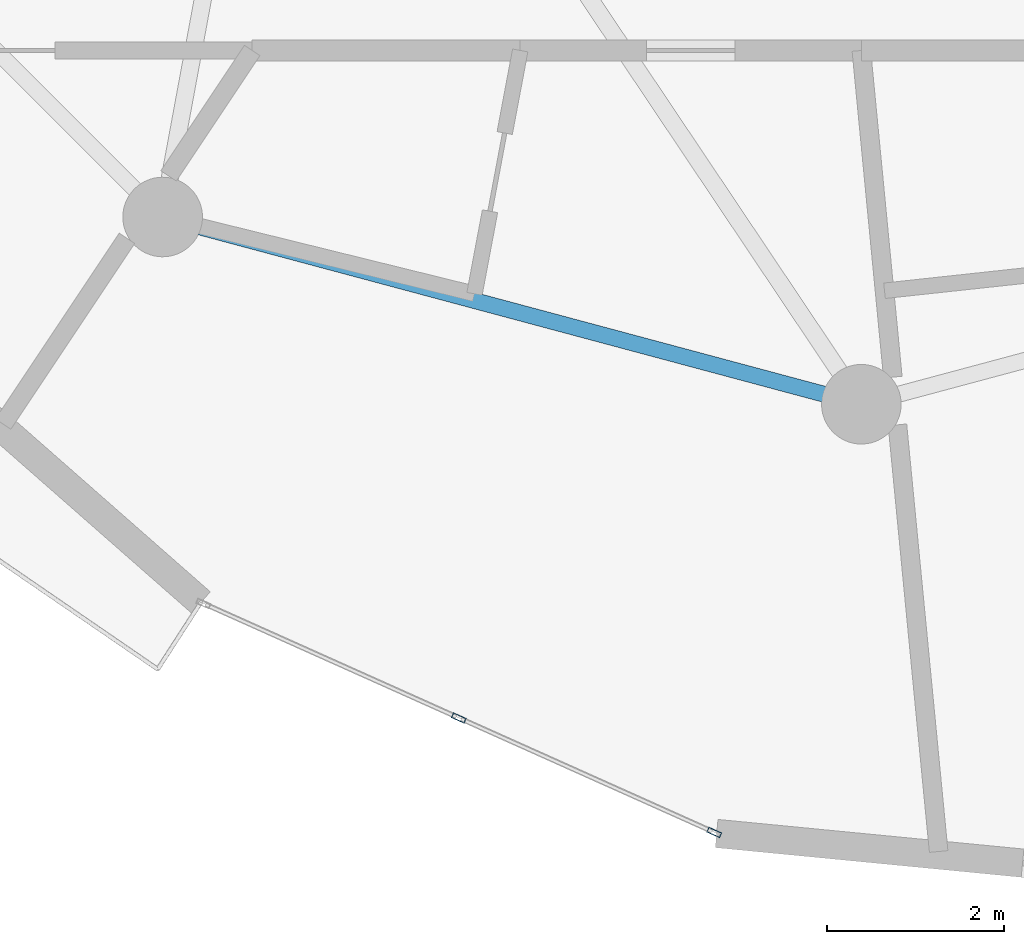
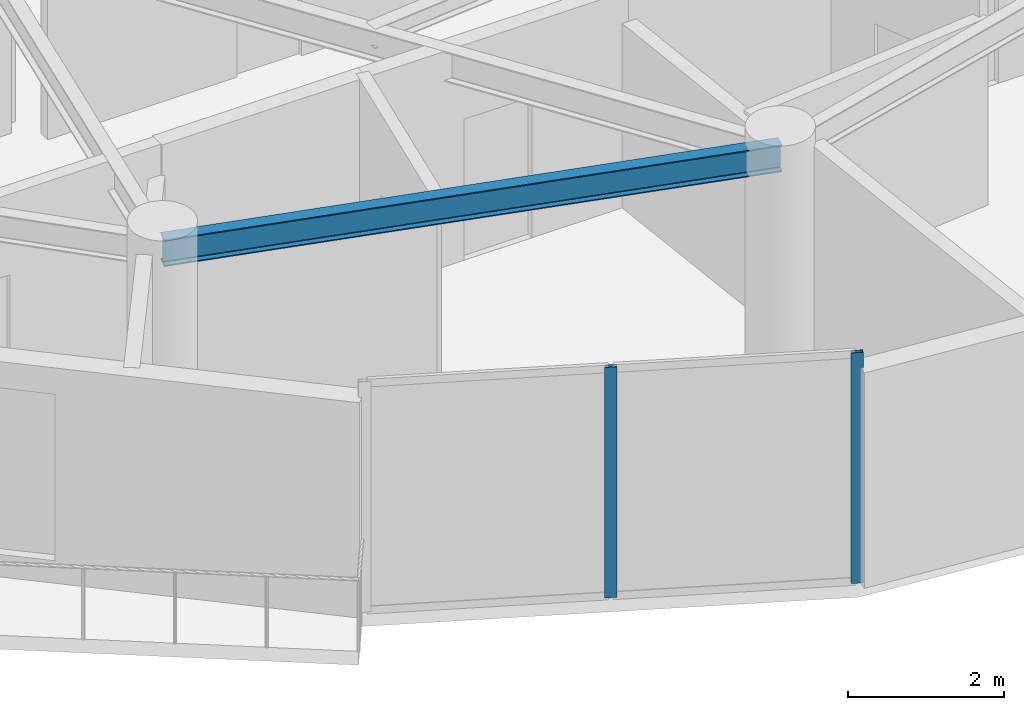
# One storey, part 4 of 21: 2 members, 1 beam, 1 element without a shape of its own.
"""IFC4 building model written with IfcOpenShell, lengths in metres."""

from ifc_helpers import new_model, si_unit, direction, frame, origin, origin_2d, place, context, subcontext, project, spatial, hollow_rectangle, i_section, extrude, source, transform, mapped, material, layer, layer_set, material_profile, profile_set, type_object, element, aggregate, save


model = new_model("IFC4")

# Units and contexts
model_context = context("Model", 3, precision=1e-05, world=origin(), true_north=direction((0.0, 1.0)))
body_context = subcontext(model_context, "Body", "Model", "MODEL_VIEW")
ifc_project = project(units=[si_unit("LENGTHUNIT", "METRE"), si_unit("AREAUNIT", "SQUARE_METRE"), si_unit("VOLUMEUNIT", "CUBIC_METRE"), si_unit("PLANEANGLEUNIT", "RADIAN"), si_unit("MASSUNIT", "GRAM", prefix="KILO")], contexts=[model_context])

# Site, building, storey
site_placement = place(None, origin())
site = spatial("IfcSite", under=ifc_project, at=site_placement, CompositionType="ELEMENT")
building_placement = place(site_placement, origin())
building = spatial("IfcBuilding", under=site, at=building_placement, Name="Solvirekh Grand Hotel", CompositionType="ELEMENT")
storey_placement = place(building_placement, frame((0.0, 0.0, 205.60009765625)))
storey = spatial("IfcBuildingStorey", under=building, at=storey_placement, Name="L53", CompositionType="ELEMENT", Elevation=205.60009765625)

# Beam
ifc_material_1 = material(Name="Steel S355", Category="steel")
ifc_material_profile_1 = material_profile(ifc_material_1, i_section(OverallWidth=0.180908203125, OverallDepth=0.4169921875, WebThickness=0.010009765625, FlangeThickness=0.01611328125, FilletRadius=0.011962890625, at=origin_2d()), Name="W410X85")
ifc_profile_set_1 = profile_set([ifc_material_profile_1], Name="Steel S355")
beam_type = type_object("IfcBeamType", Name="Spandrel_Ring_W410", PredefinedType="SPANDREL", material=ifc_profile_set_1)
beam_placement = place(storey_placement, frame((-7.89990234375, -13.68310546875, 3.15185546875), z_axis=(0.965920601923, -0.258838541915, 0.0), x_axis=(0.258838541915, 0.965920601923, 0.0)))
element("IfcBeam", 1, at=beam_placement, inside=storey, type_object=beam_type, Name="L53 perimeter spandrel beam 9", PredefinedType="SPANDREL", context=body_context, shape_type="SweptSolid", body=[
    extrude(i_section(OverallWidth=0.180908203125, OverallDepth=0.4169921875, WebThickness=0.010009765625, FlangeThickness=0.01611328125, FilletRadius=0.011962890625, at=origin_2d()), origin(), (0.0, 0.0, 1.0), 8.1787109375),
])

# Curtain wall, members
ifc_material_2 = material(Name="Anodized Bronze Aluminium 6063-T6", Category="aluminium")
ifc_layer = layer(ifc_material_2, 0.159912109375)
ifc_layer_set = layer_set([ifc_layer], Name="Anodized Bronze Aluminium 6063-T6")
curtain_wall_type = type_object("IfcCurtainWallType", Name="CW_Sys4_HighZoneFlushBronzeCW", PredefinedType="NOTDEFINED", material=ifc_layer_set)
curtain_wall_placement = place(storey_placement, origin())
curtain_wall = element("IfcCurtainWall", 2, at=curtain_wall_placement, inside=storey, type_object=curtain_wall_type, Name="L53 unitised bronze-glass curtain wall CW-L53-C18", PredefinedType="NOTDEFINED")
ifc_material_profile_2 = material_profile(ifc_material_2, hollow_rectangle(XDim=0.06005859375, YDim=0.159912109375, WallThickness=0.0048828125, at=origin_2d()), Name="ALU RHS 160X60X5")
ifc_profile_set_2 = profile_set([ifc_material_profile_2], Name="Anodized Bronze Aluminium 6063-T6")
member_type = type_object("IfcMemberType", Name="CWMullion_Sys4", PredefinedType="MULLION", material=ifc_profile_set_2)
shared_shape = source(origin(), body_context, "Body", "SweptSolid", [
    extrude(hollow_rectangle(XDim=0.06005859375, YDim=0.159912109375, WallThickness=0.0048828125, at=origin_2d()), origin(), (0.0, 0.0, 1.0), 3.599853515625),
])
member_1_placement = place(storey_placement, frame((-4.551513671875, -19.347412109375, 0.0), z_axis=(0.0, 0.0, 1.0), x_axis=(0.40893906676, 0.912561690888, 0.0)))
member_1 = element("IfcMember", 3, at=member_1_placement, type_object=member_type, Name="U04 mullion 2", PredefinedType="MULLION", context=body_context, shape_type="MappedRepresentation", body=[
    mapped(shared_shape, transform((0.0, 0.0, 0.0), x_axis=(1.0, 0.0, 0.0), y_axis=(0.0, 1.0, 0.0), z_axis=(0.0, 0.0, 1.0), scale=1.0)),
])
member_2_placement = place(storey_placement, frame((-1.663330078125, -20.641845703125, 0.0), z_axis=(0.0, 0.0, 1.0), x_axis=(0.40893906676, 0.912561690888, 0.0)))
member_2 = element("IfcMember", 4, at=member_2_placement, type_object=member_type, Name="U04 mullion 3", PredefinedType="MULLION", context=body_context, shape_type="MappedRepresentation", body=[
    mapped(shared_shape, transform((0.0, 0.0, 0.0), x_axis=(1.0, 0.0, 0.0), y_axis=(0.0, 1.0, 0.0), z_axis=(0.0, 0.0, 1.0), scale=1.0)),
])
aggregate(curtain_wall, [member_1, member_2])

save(model, "model.ifc")
